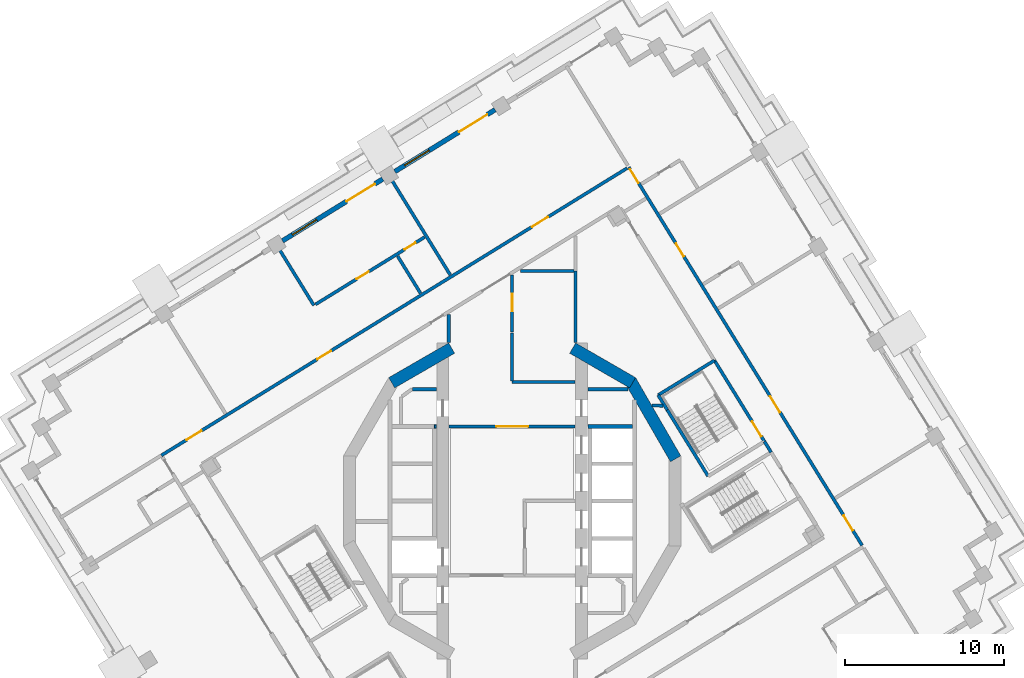
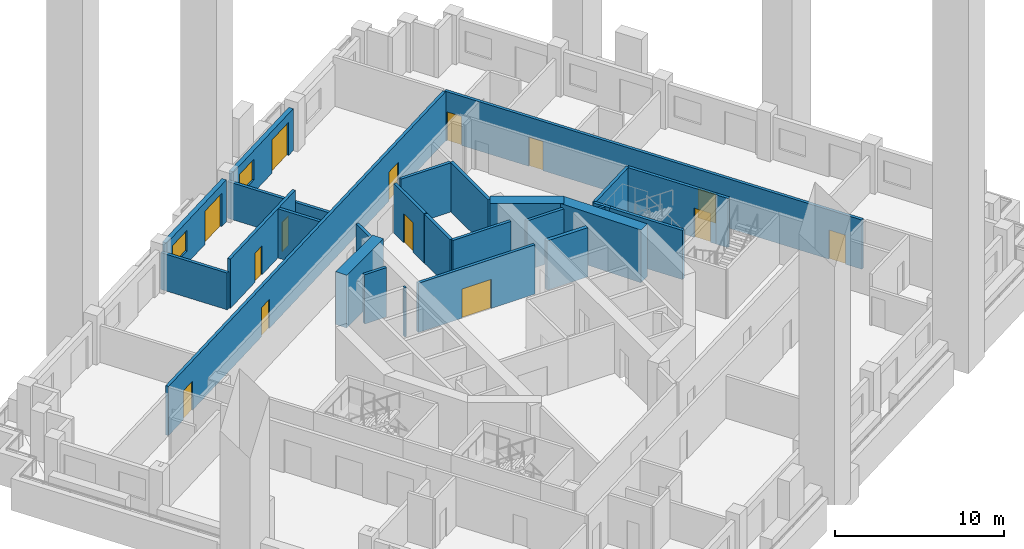
# One storey, part 7 of 19: 28 walls, 14 doors, 2 windows, 16 openings.
"""IFC4 building model written with IfcOpenShell, lengths in metres."""

from ifc_helpers import new_model, si_unit, direction, frame, frame_2d, origin, place, context, subcontext, project, spatial, rectangle, extrude, material, layer, layer_set, type_object, element, fill, save


model = new_model("IFC4")

# Units and contexts
model_context = context("Model", 3, precision=1e-05, world=origin(), true_north=direction((0.0, 1.0)))
body_context = subcontext(model_context, "Body", "Model", "MODEL_VIEW")
ifc_project = project(units=[si_unit("LENGTHUNIT", "METRE"), si_unit("AREAUNIT", "SQUARE_METRE"), si_unit("VOLUMEUNIT", "CUBIC_METRE"), si_unit("PLANEANGLEUNIT", "RADIAN"), si_unit("MASSUNIT", "GRAM", prefix="KILO")], contexts=[model_context])

# Site, building, storey
site_placement = place(None, origin())
site = spatial("IfcSite", under=ifc_project, at=site_placement, CompositionType="ELEMENT")
building_placement = place(site_placement, origin())
building = spatial("IfcBuilding", under=site, at=building_placement, Name="Cantera Rosa Tower", CompositionType="ELEMENT")
storey_placement = place(building_placement, frame((0.0, 0.0, 147.60009765625)))
storey = spatial("IfcBuildingStorey", under=building, at=storey_placement, Name="L31", CompositionType="ELEMENT", Elevation=147.60009765625)

# Wall
ifc_material_1 = material(Name="Gypsum board partition")
ifc_layer_1 = layer(ifc_material_1, 0.199951171875)
ifc_layer_set_1 = layer_set([ifc_layer_1], Name="CORRIDOR WALL 200 H3550")
wall_type_1 = type_object("IfcWallType", Name="CORRIDOR WALL 200 H3550", PredefinedType="PARTITIONING", material=ifc_layer_set_1)
wall_1_placement = place(storey_placement, frame((-4.0, 11.765625, 0.0), z_axis=(0.0, 0.0, 1.0), x_axis=(0.0, -1.0, 0.0)))
element("IfcWall", 1, at=wall_1_placement, inside=storey, type_object=wall_type_1, Name="CORRIDOR WALL L31-050", PredefinedType="PARTITIONING", context=body_context, shape_type="SweptSolid", body=[
    extrude(rectangle(XDim=1.771484375, YDim=0.199951171875, at=frame_2d((0.8857421875, 0.0))), origin(), (0.0, 0.0, 1.0), 3.5498046875),
])

# Wall, opening, door
wall_2_placement = place(storey_placement, frame((-3.969970703125, 4.699951171875, 0.0), z_axis=(0.0, 0.0, 1.0), x_axis=(1.0, 0.0, 0.0)))
wall_2 = element("IfcWall", 2, at=wall_2_placement, inside=storey, type_object=wall_type_1, Name="CORRIDOR WALL L31-051", PredefinedType="PARTITIONING", context=body_context, shape_type="SweptSolid", body=[
    extrude(rectangle(XDim=7.93994140625, YDim=0.199951171875, at=frame_2d((3.969970703125, 0.0))), origin(), (0.0, 0.0, 1.0), 3.5498046875),
])
opening_1_placement = place(wall_2_placement, frame((2.969970703125, 0.0, 0.0)))
opening_1 = element("IfcOpeningElement", 3, at=opening_1_placement, cuts=wall_2, Name="Opening L31-010", PredefinedType="OPENING", context=body_context, shape_type="SweptSolid", body=[
    extrude(rectangle(XDim=2.0, YDim=2.10009765625, at=frame_2d((1.0, 1.050048828125))), frame((0.0, 0.10986328125, 0.0), z_axis=(0.0, -1.0, 0.0), x_axis=(1.0, 0.0, 0.0)), (0.0, 0.0, 1.0), 0.219970703125),
])
ifc_material_2 = material(Name="Steel S355J2 (EN 10025-2)", Category="steel")
door_type_1 = type_object("IfcDoorType", Name="LOBBY SCREEN DOOR 2000x2100", OperationType="NOTDEFINED", PredefinedType="DOOR", material=ifc_material_2)
door_1_placement = place(opening_1_placement, origin())
door_1 = element("IfcDoor", 4, at=door_1_placement, inside=storey, type_object=door_type_1, Name="DOOR L31-010", OperationType="NOTDEFINED", OverallHeight=2.10009765625, OverallWidth=2.0, PredefinedType="DOOR", context=body_context, shape_type="SweptSolid", body=[
    extrude(rectangle(XDim=2.0, YDim=2.10009765625, at=frame_2d((1.0, 1.050048828125))), frame((0.0, 0.02490234375, 0.0), z_axis=(0.0, -1.0, 0.0), x_axis=(1.0, 0.0, 0.0)), (0.0, 0.0, 1.0), 0.050048828125),
])
fill(opening_1, door_1)

# Walls
wall_3_placement = place(storey_placement, frame((0.0, 7.5, 0.0), z_axis=(0.0, 0.0, 1.0), x_axis=(1.0, 0.0, 0.0)))
element("IfcWall", 5, at=wall_3_placement, inside=storey, type_object=wall_type_1, Name="CORRIDOR WALL L31-057", PredefinedType="PARTITIONING", context=body_context, shape_type="SweptSolid", body=[
    extrude(rectangle(XDim=3.969970703125, YDim=0.199951171875, at=frame_2d((1.98486328125, 0.0))), origin(), (0.0, 0.0, 1.0), 3.5498046875),
])
wall_4_placement = place(storey_placement, frame((0.0, 10.59521484375, 0.0), z_axis=(0.0, 0.0, 1.0), x_axis=(0.0, -1.0, 0.0)))
element("IfcWall", 6, at=wall_4_placement, inside=storey, type_object=wall_type_1, Name="CORRIDOR WALL L31-058", PredefinedType="PARTITIONING", context=body_context, shape_type="SweptSolid", body=[
    extrude(rectangle(XDim=3.01513671875, YDim=0.199951171875, at=frame_2d((1.507568359375, 0.0))), origin(), (0.0, 0.0, 1.0), 3.5498046875),
])

# Wall, opening, door
wall_5_placement = place(storey_placement, frame((0.0, 14.23291015625, 0.0), z_axis=(0.0, 0.0, 1.0), x_axis=(0.0, -1.0, 0.0)))
wall_5 = element("IfcWall", 7, at=wall_5_placement, inside=storey, type_object=wall_type_1, Name="CORRIDOR WALL L31-059", PredefinedType="PARTITIONING", context=body_context, shape_type="SweptSolid", body=[
    extrude(rectangle(XDim=3.57763671875, YDim=0.199951171875, at=frame_2d((1.788818359375, 0.0))), origin(), (0.0, 0.0, 1.0), 3.5498046875),
])
opening_2_placement = place(wall_5_placement, frame((1.15869140625, 0.0, 0.0)))
opening_2 = element("IfcOpeningElement", 8, at=opening_2_placement, cuts=wall_5, Name="Opening L31-014", PredefinedType="OPENING", context=body_context, shape_type="SweptSolid", body=[
    extrude(rectangle(XDim=1.10009765625, YDim=2.10009765625, at=frame_2d((0.550048828125, 1.050048828125))), frame((0.0, 0.10986328125, 0.0), z_axis=(0.0, -1.0, 0.0), x_axis=(1.0, 0.0, 0.0)), (0.0, 0.0, 1.0), 0.219970703125),
])
ifc_material_3 = material(Name="Timber door leaf", Category="wood")
door_type_2 = type_object("IfcDoorType", Name="ROOM DOOR 1100x2100", OperationType="NOTDEFINED", PredefinedType="DOOR", material=ifc_material_3)
door_2_placement = place(opening_2_placement, origin())
door_2 = element("IfcDoor", 9, at=door_2_placement, inside=storey, type_object=door_type_2, Name="DOOR L31-014", OperationType="NOTDEFINED", OverallHeight=2.10009765625, OverallWidth=1.10009765625, PredefinedType="DOOR", context=body_context, shape_type="SweptSolid", body=[
    extrude(rectangle(XDim=1.10009765625, YDim=2.10009765625, at=frame_2d((0.550048828125, 1.050048828125))), frame((0.0, 0.02490234375, 0.0), z_axis=(0.0, -1.0, 0.0), x_axis=(1.0, 0.0, 0.0)), (0.0, 0.0, 1.0), 0.050048828125),
])
fill(opening_2, door_2)

# Wall
wall_6_placement = place(storey_placement, frame((3.89990234375, 14.5, 0.0), z_axis=(0.0, 0.0, 1.0), x_axis=(-1.0, 0.0, 0.0)))
element("IfcWall", 10, at=wall_6_placement, inside=storey, type_object=wall_type_1, Name="CORRIDOR WALL L31-068", PredefinedType="PARTITIONING", context=body_context, shape_type="SweptSolid", body=[
    extrude(rectangle(XDim=3.38623046875, YDim=0.199951171875, at=frame_2d((1.693115234375, 0.0))), origin(), (0.0, 0.0, 1.0), 3.5498046875),
])

# Wall, openings, doors
wall_7_placement = place(storey_placement, frame((7.246337890625, 20.977294921875, 0.0), z_axis=(0.0, 0.0, 1.0), x_axis=(-0.851117666999, -0.524974967901, 0.0)))
wall_7 = element("IfcWall", 11, at=wall_7_placement, inside=storey, type_object=wall_type_1, Name="CORRIDOR WALL L31-082", PredefinedType="PARTITIONING", context=body_context, shape_type="SweptSolid", body=[
    extrude(rectangle(XDim=34.47998046875, YDim=0.199951171875, at=frame_2d((17.239990234375, 0.0))), origin(), (0.0, 0.0, 1.0), 3.5498046875),
])
opening_3_placement = place(wall_7_placement, frame((5.85009765625, 0.0, 0.0)))
opening_3 = element("IfcOpeningElement", 12, at=opening_3_placement, cuts=wall_7, Name="Opening L31-025", PredefinedType="OPENING", context=body_context, shape_type="SweptSolid", body=[
    extrude(rectangle(XDim=1.199951171875, YDim=2.10009765625, at=frame_2d((0.60009765625, 1.050048828125))), frame((0.0, 0.10986328125, 0.0), z_axis=(0.0, -1.0, 0.0), x_axis=(1.0, 0.0, 0.0)), (0.0, 0.0, 1.0), 0.219970703125),
])
opening_4_placement = place(wall_7_placement, frame((21.93994140625, 0.0, 0.0)))
opening_4 = element("IfcOpeningElement", 13, at=opening_4_placement, cuts=wall_7, Name="Opening L31-026", PredefinedType="OPENING", context=body_context, shape_type="SweptSolid", body=[
    extrude(rectangle(XDim=1.0, YDim=2.10009765625, at=frame_2d((0.5, 1.050048828125))), frame((0.0, 0.10986328125, 0.0), z_axis=(0.0, -1.0, 0.0), x_axis=(1.0, 0.0, 0.0)), (0.0, 0.0, 1.0), 0.219970703125),
])
opening_5_placement = place(wall_7_placement, frame((31.52001953125, 0.0, 0.0)))
opening_5 = element("IfcOpeningElement", 14, at=opening_5_placement, cuts=wall_7, Name="Opening L31-029", PredefinedType="OPENING", context=body_context, shape_type="SweptSolid", body=[
    extrude(rectangle(XDim=1.10009765625, YDim=2.10009765625, at=frame_2d((0.550048828125, 1.050048828125))), frame((0.0, 0.10986328125, 0.0), z_axis=(0.0, -1.0, 0.0), x_axis=(1.0, 0.0, 0.0)), (0.0, 0.0, 1.0), 0.219970703125),
])
ifc_material_4 = material(Name="Timber door leaf", Category="wood")
door_type_3 = type_object("IfcDoorType", Name="ENTRANCE DOOR 1000x2100", OperationType="NOTDEFINED", PredefinedType="DOOR", material=ifc_material_4)
door_3_placement = place(opening_4_placement, origin())
door_3 = element("IfcDoor", 15, at=door_3_placement, inside=storey, type_object=door_type_3, Name="DOOR L31-026", OperationType="NOTDEFINED", OverallHeight=2.10009765625, OverallWidth=1.0, PredefinedType="DOOR", context=body_context, shape_type="SweptSolid", body=[
    extrude(rectangle(XDim=1.0, YDim=2.10009765625, at=frame_2d((0.5, 1.050048828125))), frame((0.0, 0.02490234375, 0.0), z_axis=(0.0, -1.0, 0.0), x_axis=(1.0, 0.0, 0.0)), (0.0, 0.0, 1.0), 0.050048828125),
])
fill(opening_4, door_3)
door_4_placement = place(opening_5_placement, origin())
door_4 = element("IfcDoor", 16, at=door_4_placement, inside=storey, type_object=door_type_2, Name="DOOR L31-029", OperationType="NOTDEFINED", OverallHeight=2.10009765625, OverallWidth=1.10009765625, PredefinedType="DOOR", context=body_context, shape_type="SweptSolid", body=[
    extrude(rectangle(XDim=1.10009765625, YDim=2.10009765625, at=frame_2d((0.550048828125, 1.050048828125))), frame((0.0, 0.02490234375, 0.0), z_axis=(0.0, -1.0, 0.0), x_axis=(1.0, 0.0, 0.0)), (0.0, 0.0, 1.0), 0.050048828125),
])
fill(opening_5, door_4)
ifc_material_5 = material(Name="Timber door leaf", Category="wood")
door_type_4 = type_object("IfcDoorType", Name="ROOM DOOR 1200x2100", OperationType="NOTDEFINED", PredefinedType="DOOR", material=ifc_material_5)
door_5_placement = place(opening_3_placement, origin())
door_5 = element("IfcDoor", 17, at=door_5_placement, inside=storey, type_object=door_type_4, Name="DOOR L31-025", OperationType="NOTDEFINED", OverallHeight=2.10009765625, OverallWidth=1.199951171875, PredefinedType="DOOR", context=body_context, shape_type="SweptSolid", body=[
    extrude(rectangle(XDim=1.199951171875, YDim=2.10009765625, at=frame_2d((0.60009765625, 1.050048828125))), frame((0.0, 0.02490234375, 0.0), z_axis=(0.0, -1.0, 0.0), x_axis=(1.0, 0.0, 0.0)), (0.0, 0.0, 1.0), 0.050048828125),
])
fill(opening_3, door_5)

# Wall
wall_8_placement = place(storey_placement, frame((16.31591796875, 3.072998046875, 0.0), z_axis=(0.0, 0.0, 1.0), x_axis=(-0.524947597637, 0.85113454855, 0.0)))
element("IfcWall", 18, at=wall_8_placement, inside=storey, type_object=wall_type_1, Name="CORRIDOR WALL L31-104", PredefinedType="PARTITIONING", context=body_context, shape_type="SweptSolid", body=[
    extrude(rectangle(XDim=0.80078125, YDim=0.199951171875, at=frame_2d((0.400390625, 0.0))), origin(), (0.0, 0.0, 1.0), 3.5498046875),
])

# Wall, openings, doors
wall_9_placement = place(storey_placement, frame((22.047607421875, -2.791015625, 0.0), z_axis=(0.0, 0.0, 1.0), x_axis=(-0.524972822833, 0.851118990087, 0.0)))
wall_9 = element("IfcWall", 19, at=wall_9_placement, inside=storey, type_object=wall_type_1, Name="CORRIDOR WALL L31-114", PredefinedType="PARTITIONING", context=body_context, shape_type="SweptSolid", body=[
    extrude(rectangle(XDim=28.0, YDim=0.199951171875, at=frame_2d((14.0, 0.0))), origin(), (0.0, 0.0, 1.0), 3.5498046875),
])
opening_6_placement = place(wall_9_placement, frame((9.840087890625, 0.0, 0.0)))
opening_6 = element("IfcOpeningElement", 20, at=opening_6_placement, cuts=wall_9, Name="Opening L31-019", PredefinedType="OPENING", context=body_context, shape_type="SweptSolid", body=[
    extrude(rectangle(XDim=1.199951171875, YDim=2.10009765625, at=frame_2d((0.60009765625, 1.050048828125))), frame((0.0, 0.10986328125, 0.0), z_axis=(0.0, -1.0, 0.0), x_axis=(1.0, 0.0, 0.0)), (0.0, 0.0, 1.0), 0.219970703125),
])
opening_7_placement = place(wall_9_placement, frame((21.39501953125, 0.0, 0.0)))
opening_7 = element("IfcOpeningElement", 21, at=opening_7_placement, cuts=wall_9, Name="Opening L31-020", PredefinedType="OPENING", context=body_context, shape_type="SweptSolid", body=[
    extrude(rectangle(XDim=0.949951171875, YDim=2.10009765625, at=frame_2d((0.47509765625, 1.050048828125))), frame((0.0, 0.10986328125, 0.0), z_axis=(0.0, -1.0, 0.0), x_axis=(1.0, 0.0, 0.0)), (0.0, 0.0, 1.0), 0.219970703125),
])
opening_8_placement = place(wall_9_placement, frame((1.110107421875, 0.0, 0.0)))
opening_8 = element("IfcOpeningElement", 22, at=opening_8_placement, cuts=wall_9, Name="Opening L31-022", PredefinedType="OPENING", context=body_context, shape_type="SweptSolid", body=[
    extrude(rectangle(XDim=1.10009765625, YDim=2.10009765625, at=frame_2d((0.550048828125, 1.050048828125))), frame((0.0, 0.10986328125, 0.0), z_axis=(0.0, -1.0, 0.0), x_axis=(1.0, 0.0, 0.0)), (0.0, 0.0, 1.0), 0.219970703125),
])
opening_9_placement = place(wall_9_placement, frame((26.840087890625, 0.0, 0.0)))
opening_9 = element("IfcOpeningElement", 23, at=opening_9_placement, cuts=wall_9, Name="Opening L31-023", PredefinedType="OPENING", context=body_context, shape_type="SweptSolid", body=[
    extrude(rectangle(XDim=1.0, YDim=2.10009765625, at=frame_2d((0.5, 1.050048828125))), frame((0.0, 0.10986328125, 0.0), z_axis=(0.0, -1.0, 0.0), x_axis=(1.0, 0.0, 0.0)), (0.0, 0.0, 1.0), 0.219970703125),
])
door_6_placement = place(opening_9_placement, origin())
door_6 = element("IfcDoor", 24, at=door_6_placement, inside=storey, type_object=door_type_3, Name="DOOR L31-023", OperationType="NOTDEFINED", OverallHeight=2.10009765625, OverallWidth=1.0, PredefinedType="DOOR", context=body_context, shape_type="SweptSolid", body=[
    extrude(rectangle(XDim=1.0, YDim=2.10009765625, at=frame_2d((0.5, 1.050048828125))), frame((0.0, 0.02490234375, 0.0), z_axis=(0.0, -1.0, 0.0), x_axis=(1.0, 0.0, 0.0)), (0.0, 0.0, 1.0), 0.050048828125),
])
fill(opening_9, door_6)
door_7_placement = place(opening_8_placement, origin())
door_7 = element("IfcDoor", 25, at=door_7_placement, inside=storey, type_object=door_type_2, Name="DOOR L31-022", OperationType="NOTDEFINED", OverallHeight=2.10009765625, OverallWidth=1.10009765625, PredefinedType="DOOR", context=body_context, shape_type="SweptSolid", body=[
    extrude(rectangle(XDim=1.10009765625, YDim=2.10009765625, at=frame_2d((0.550048828125, 1.050048828125))), frame((0.0, 0.02490234375, 0.0), z_axis=(0.0, -1.0, 0.0), x_axis=(1.0, 0.0, 0.0)), (0.0, 0.0, 1.0), 0.050048828125),
])
fill(opening_8, door_7)
door_8_placement = place(opening_6_placement, origin())
door_8 = element("IfcDoor", 26, at=door_8_placement, inside=storey, type_object=door_type_4, Name="DOOR L31-019", OperationType="NOTDEFINED", OverallHeight=2.10009765625, OverallWidth=1.199951171875, PredefinedType="DOOR", context=body_context, shape_type="SweptSolid", body=[
    extrude(rectangle(XDim=1.199951171875, YDim=2.10009765625, at=frame_2d((0.60009765625, 1.050048828125))), frame((0.0, 0.02490234375, 0.0), z_axis=(0.0, -1.0, 0.0), x_axis=(1.0, 0.0, 0.0)), (0.0, 0.0, 1.0), 0.050048828125),
])
fill(opening_6, door_8)
ifc_material_6 = material(Name="Timber door leaf", Category="wood")
door_type_5 = type_object("IfcDoorType", Name="ROOM DOOR 950x2100", OperationType="NOTDEFINED", PredefinedType="DOOR", material=ifc_material_6)
door_9_placement = place(opening_7_placement, origin())
door_9 = element("IfcDoor", 27, at=door_9_placement, inside=storey, type_object=door_type_5, Name="DOOR L31-020", OperationType="NOTDEFINED", OverallHeight=2.10009765625, OverallWidth=0.949951171875, PredefinedType="DOOR", context=body_context, shape_type="SweptSolid", body=[
    extrude(rectangle(XDim=0.949951171875, YDim=2.10009765625, at=frame_2d((0.47509765625, 1.050048828125))), frame((0.0, 0.02490234375, 0.0), z_axis=(0.0, -1.0, 0.0), x_axis=(1.0, 0.0, 0.0)), (0.0, 0.0, 1.0), 0.050048828125),
])
fill(opening_7, door_9)

# Wall, openings, window, door
ifc_material_7 = material(Name="Hollow clay masonry with cantera stone cladding", Category="masonry")
ifc_layer_2 = layer(ifc_material_7, 0.300048828125)
ifc_layer_set_2 = layer_set([ifc_layer_2], Name="EW-LOGGIA 300 H3020")
wall_type_2 = type_object("IfcWallType", Name="EW-LOGGIA 300 H3020", PredefinedType="SOLIDWALL", material=ifc_layer_set_2)
wall_10_placement = place(storey_placement, frame((-1.07421875, 24.656982421875, 0.0), z_axis=(0.0, 0.0, 1.0), x_axis=(-0.85112578684, -0.524961803349, 0.0)))
wall_10 = element("IfcWall", 28, at=wall_10_placement, inside=storey, type_object=wall_type_2, Name="EN-L31-W09", PredefinedType="SOLIDWALL", context=body_context, shape_type="SweptSolid", body=[
    extrude(rectangle(XDim=7.420166015625, YDim=0.300048828125, at=frame_2d((3.7099609375, 0.0))), origin(), (0.0, 0.0, 1.0), 3.02001953125),
])
opening_10_placement = place(wall_10_placement, frame((0.580078125, 0.0, 0.0)))
opening_10 = element("IfcOpeningElement", 29, at=opening_10_placement, cuts=wall_10, Name="Opening L31-TD13", PredefinedType="OPENING", context=body_context, shape_type="SweptSolid", body=[
    extrude(rectangle(XDim=2.10009765625, YDim=2.39990234375, at=frame_2d((1.050048828125, 1.199951171875))), frame((0.0, 0.159912109375, 0.0), z_axis=(0.0, -1.0, 0.0), x_axis=(1.0, 0.0, 0.0)), (0.0, 0.0, 1.0), 0.320068359375),
])
opening_11_placement = place(wall_10_placement, frame((4.889892578125, 0.0, 0.89990234375)))
opening_11 = element("IfcOpeningElement", 30, at=opening_11_placement, cuts=wall_10, Name="Opening L31-W14", PredefinedType="OPENING", context=body_context, shape_type="SweptSolid", body=[
    extrude(rectangle(XDim=1.800048828125, YDim=1.5, at=frame_2d((0.89990234375, 0.75))), frame((0.0, 0.159912109375, 0.0), z_axis=(0.0, -1.0, 0.0), x_axis=(1.0, 0.0, 0.0)), (0.0, 0.0, 1.0), 0.320068359375),
])
ifc_material_8 = material(Name="Aluminium frame with clear glass", Category="aluminium")
window_type = type_object("IfcWindowType", Name="Hotel room window 1800x1500", PartitioningType="DOUBLE_PANEL_VERTICAL", PredefinedType="WINDOW", material=ifc_material_8)
window_1_placement = place(opening_11_placement, origin())
window_1 = element("IfcWindow", 31, at=window_1_placement, inside=storey, type_object=window_type, Name="WINDOW L31-W14", OverallHeight=1.5, OverallWidth=1.800048828125, PartitioningType="SINGLE_PANEL", PredefinedType="WINDOW", context=body_context, shape_type="SweptSolid", body=[
    extrude(rectangle(XDim=1.800048828125, YDim=1.5, at=frame_2d((0.89990234375, 0.75))), frame((0.0, 0.030029296875, 0.0), z_axis=(0.0, -1.0, 0.0), x_axis=(1.0, 0.0, 0.0)), (0.0, 0.0, 1.0), 0.06005859375),
])
fill(opening_11, window_1)
ifc_material_9 = material(Name="Aluminium frame with clear glass", Category="aluminium")
door_type_6 = type_object("IfcDoorType", Name="TD-H 2100x2400", OperationType="NOTDEFINED", PredefinedType="DOOR", material=ifc_material_9)
door_10_placement = place(opening_10_placement, origin())
door_10 = element("IfcDoor", 32, at=door_10_placement, inside=storey, type_object=door_type_6, Name="LOGGIA DOOR L31-TD13", OperationType="SLIDING_TO_LEFT", OverallHeight=2.39990234375, OverallWidth=2.10009765625, PredefinedType="DOOR", context=body_context, shape_type="SweptSolid", body=[
    extrude(rectangle(XDim=2.10009765625, YDim=2.39990234375, at=frame_2d((1.050048828125, 1.199951171875))), frame((0.0, 0.02490234375, 0.0), z_axis=(0.0, -1.0, 0.0), x_axis=(1.0, 0.0, 0.0)), (0.0, 0.0, 1.0), 0.050048828125),
])
fill(opening_10, door_10)

wall_11_placement = place(storey_placement, frame((-8.155517578125, 20.289306640625, 0.0), z_axis=(0.0, 0.0, 1.0), x_axis=(-0.851111085575, -0.524985637909, 0.0)))
wall_11 = element("IfcWall", 33, at=wall_11_placement, inside=storey, type_object=wall_type_2, Name="EN-L31-W10", PredefinedType="SOLIDWALL", context=body_context, shape_type="SweptSolid", body=[
    extrude(rectangle(XDim=7.420166015625, YDim=0.300048828125, at=frame_2d((3.7099609375, 0.0))), origin(), (0.0, 0.0, 1.0), 3.02001953125),
])
opening_12_placement = place(wall_11_placement, frame((0.580078125, 0.0, 0.0)))
opening_12 = element("IfcOpeningElement", 34, at=opening_12_placement, cuts=wall_11, Name="Opening L31-TD15", PredefinedType="OPENING", context=body_context, shape_type="SweptSolid", body=[
    extrude(rectangle(XDim=2.10009765625, YDim=2.39990234375, at=frame_2d((1.050048828125, 1.199951171875))), frame((0.0, 0.159912109375, 0.0), z_axis=(0.0, -1.0, 0.0), x_axis=(1.0, 0.0, 0.0)), (0.0, 0.0, 1.0), 0.320068359375),
])
opening_13_placement = place(wall_11_placement, frame((4.889892578125, 0.0, 0.89990234375)))
opening_13 = element("IfcOpeningElement", 35, at=opening_13_placement, cuts=wall_11, Name="Opening L31-W16", PredefinedType="OPENING", context=body_context, shape_type="SweptSolid", body=[
    extrude(rectangle(XDim=1.800048828125, YDim=1.5, at=frame_2d((0.89990234375, 0.75))), frame((0.0, 0.159912109375, 0.0), z_axis=(0.0, -1.0, 0.0), x_axis=(1.0, 0.0, 0.0)), (0.0, 0.0, 1.0), 0.320068359375),
])
window_2_placement = place(opening_13_placement, origin())
window_2 = element("IfcWindow", 36, at=window_2_placement, inside=storey, type_object=window_type, Name="WINDOW L31-W16", OverallHeight=1.5, OverallWidth=1.800048828125, PartitioningType="SINGLE_PANEL", PredefinedType="WINDOW", context=body_context, shape_type="SweptSolid", body=[
    extrude(rectangle(XDim=1.800048828125, YDim=1.5, at=frame_2d((0.89990234375, 0.75))), frame((0.0, 0.030029296875, 0.0), z_axis=(0.0, -1.0, 0.0), x_axis=(1.0, 0.0, 0.0)), (0.0, 0.0, 1.0), 0.06005859375),
])
fill(opening_13, window_2)
door_11_placement = place(opening_12_placement, origin())
door_11 = element("IfcDoor", 37, at=door_11_placement, inside=storey, type_object=door_type_6, Name="LOGGIA DOOR L31-TD15", OperationType="SLIDING_TO_LEFT", OverallHeight=2.39990234375, OverallWidth=2.10009765625, PredefinedType="DOOR", context=body_context, shape_type="SweptSolid", body=[
    extrude(rectangle(XDim=2.10009765625, YDim=2.39990234375, at=frame_2d((1.050048828125, 1.199951171875))), frame((0.0, 0.02490234375, 0.0), z_axis=(0.0, -1.0, 0.0), x_axis=(1.0, 0.0, 0.0)), (0.0, 0.0, 1.0), 0.050048828125),
])
fill(opening_12, door_11)

# Walls
ifc_material_10 = material(Name="Gypsum board partition")
ifc_layer_3 = layer(ifc_material_10, 0.199951171875)
ifc_layer_set_3 = layer_set([ifc_layer_3], Name="PARTITION 200 H2650")
wall_type_3 = type_object("IfcWallType", Name="PARTITION 200 H2650", PredefinedType="PARTITIONING", material=ifc_layer_set_3)
wall_12_placement = place(storey_placement, frame((-12.491455078125, 12.32763671875, 0.0), z_axis=(0.0, 0.0, 1.0), x_axis=(-0.524986965499, 0.851110266685, 0.0)))
element("IfcWall", 38, at=wall_12_placement, inside=storey, type_object=wall_type_3, Name="PARTITION L31-018", PredefinedType="PARTITIONING", context=body_context, shape_type="SweptSolid", body=[
    extrude(rectangle(XDim=4.469970703125, YDim=0.199951171875, at=frame_2d((2.23486328125, 0.0))), origin(), (0.0, 0.0, 1.0), 2.64990234375),
])
ifc_material_11 = material(Name="Gypsum board partition")
ifc_layer_4 = layer(ifc_material_11, 0.199951171875)
ifc_layer_set_4 = layer_set([ifc_layer_4], Name="PARTITION 200 H3550")
wall_type_4 = type_object("IfcWallType", Name="PARTITION 200 H3550", PredefinedType="PARTITIONING", material=ifc_layer_set_4)
wall_13_placement = place(storey_placement, frame((-6.273681640625, 7.050048828125, 0.0), z_axis=(0.0, 0.0, 1.0), x_axis=(1.0, 0.0, 0.0)))
element("IfcWall", 39, at=wall_13_placement, inside=storey, type_object=wall_type_4, Name="PARTITION L31-040", PredefinedType="PARTITIONING", context=body_context, shape_type="SweptSolid", body=[
    extrude(rectangle(XDim=1.49365234375, YDim=0.199951171875, at=frame_2d((0.746826171875, 0.0))), origin(), (0.0, 0.0, 1.0), 3.5498046875),
])
wall_14_placement = place(storey_placement, frame((-5.770751953125, 13.08935546875, 0.0), z_axis=(0.0, 0.0, 1.0), x_axis=(-0.524980555024, 0.851114220799, 0.0)))
element("IfcWall", 40, at=wall_14_placement, inside=storey, type_object=wall_type_4, Name="PARTITION L31-042", PredefinedType="PARTITIONING", context=body_context, shape_type="SweptSolid", body=[
    extrude(rectangle(XDim=2.760009765625, YDim=0.199951171875, at=frame_2d((1.3798828125, 0.0))), origin(), (0.0, 0.0, 1.0), 3.5498046875),
])

# Wall, openings, doors
wall_15_placement = place(storey_placement, frame((-5.51220703125, 16.63232421875, 0.0), z_axis=(0.0, 0.0, 1.0), x_axis=(-0.851128794502, -0.524956926965, 0.0)))
wall_15 = element("IfcWall", 41, at=wall_15_placement, inside=storey, type_object=wall_type_4, Name="PARTITION L31-043", PredefinedType="PARTITIONING", context=body_context, shape_type="SweptSolid", body=[
    extrude(rectangle(XDim=8.080078125, YDim=0.199951171875, at=frame_2d((4.0400390625, 0.0))), origin(), (0.0, 0.0, 1.0), 3.5498046875),
])
opening_14_placement = place(wall_15_placement, frame((4.139892578125, 0.0, 0.0)))
opening_14 = element("IfcOpeningElement", 42, at=opening_14_placement, cuts=wall_15, Name="Opening L31-027", PredefinedType="OPENING", context=body_context, shape_type="SweptSolid", body=[
    extrude(rectangle(XDim=0.89990234375, YDim=2.10009765625, at=frame_2d((0.449951171875, 1.050048828125))), frame((0.0, 0.10986328125, 0.0), z_axis=(0.0, -1.0, 0.0), x_axis=(1.0, 0.0, 0.0)), (0.0, 0.0, 1.0), 0.219970703125),
])
opening_15_placement = place(wall_15_placement, frame((0.68994140625, 0.0, 0.0)))
opening_15 = element("IfcOpeningElement", 43, at=opening_15_placement, cuts=wall_15, Name="Opening L31-028", PredefinedType="OPENING", context=body_context, shape_type="SweptSolid", body=[
    extrude(rectangle(XDim=0.800048828125, YDim=2.10009765625, at=frame_2d((0.39990234375, 1.050048828125))), frame((0.0, 0.10986328125, 0.0), z_axis=(0.0, -1.0, 0.0), x_axis=(1.0, 0.0, 0.0)), (0.0, 0.0, 1.0), 0.219970703125),
])
ifc_material_12 = material(Name="Timber door leaf", Category="wood")
door_type_7 = type_object("IfcDoorType", Name="BATHROOM DOOR 800x2100", OperationType="NOTDEFINED", PredefinedType="DOOR", material=ifc_material_12)
door_12_placement = place(opening_15_placement, origin())
door_12 = element("IfcDoor", 44, at=door_12_placement, inside=storey, type_object=door_type_7, Name="DOOR L31-028", OperationType="NOTDEFINED", OverallHeight=2.10009765625, OverallWidth=0.800048828125, PredefinedType="DOOR", context=body_context, shape_type="SweptSolid", body=[
    extrude(rectangle(XDim=0.800048828125, YDim=2.10009765625, at=frame_2d((0.39990234375, 1.050048828125))), frame((0.0, 0.02490234375, 0.0), z_axis=(0.0, -1.0, 0.0), x_axis=(1.0, 0.0, 0.0)), (0.0, 0.0, 1.0), 0.050048828125),
])
fill(opening_15, door_12)
ifc_material_13 = material(Name="Timber door leaf", Category="wood")
door_type_8 = type_object("IfcDoorType", Name="ROOM DOOR 900x2100", OperationType="NOTDEFINED", PredefinedType="DOOR", material=ifc_material_13)
door_13_placement = place(opening_14_placement, origin())
door_13 = element("IfcDoor", 45, at=door_13_placement, inside=storey, type_object=door_type_8, Name="DOOR L31-027", OperationType="NOTDEFINED", OverallHeight=2.10009765625, OverallWidth=0.89990234375, PredefinedType="DOOR", context=body_context, shape_type="SweptSolid", body=[
    extrude(rectangle(XDim=0.89990234375, YDim=2.10009765625, at=frame_2d((0.449951171875, 1.050048828125))), frame((0.0, 0.02490234375, 0.0), z_axis=(0.0, -1.0, 0.0), x_axis=(1.0, 0.0, 0.0)), (0.0, 0.0, 1.0), 0.050048828125),
])
fill(opening_14, door_13)

# Walls
wall_16_placement = place(storey_placement, frame((-4.780029296875, 4.699951171875, 0.0), z_axis=(0.0, 0.0, 1.0), x_axis=(-1.0, 0.0, 0.0)))
element("IfcWall", 46, at=wall_16_placement, inside=storey, type_object=wall_type_4, Name="PARTITION L31-047", PredefinedType="PARTITIONING", context=body_context, shape_type="SweptSolid", body=[
    extrude(rectangle(XDim=0.119873046875, YDim=0.199951171875, at=frame_2d((0.06005859375, 0.0))), origin(), (0.0, 0.0, 1.0), 3.5498046875),
])
wall_17_placement = place(storey_placement, frame((4.0, 9.994140625, 0.0), z_axis=(0.0, 0.0, 1.0), x_axis=(0.0, 1.0, 0.0)))
element("IfcWall", 47, at=wall_17_placement, inside=storey, type_object=wall_type_4, Name="PARTITION L31-067", PredefinedType="PARTITIONING", context=body_context, shape_type="SweptSolid", body=[
    extrude(rectangle(XDim=4.505859375, YDim=0.199951171875, at=frame_2d((2.2529296875, 0.0))), origin(), (0.0, 0.0, 1.0), 3.5498046875),
])
wall_18_placement = place(storey_placement, frame((4.780029296875, 7.050048828125, 0.0), z_axis=(0.0, 0.0, 1.0), x_axis=(1.0, 0.0, 0.0)))
element("IfcWall", 48, at=wall_18_placement, inside=storey, type_object=wall_type_4, Name="PARTITION L31-073", PredefinedType="PARTITIONING", context=body_context, shape_type="SweptSolid", body=[
    extrude(rectangle(XDim=2.517822265625, YDim=0.199951171875, at=frame_2d((1.2587890625, 0.0))), origin(), (0.0, 0.0, 1.0), 3.5498046875),
])
wall_19_placement = place(storey_placement, frame((9.49658203125, 6.001708984375, 0.0), z_axis=(0.0, 0.0, 1.0), x_axis=(-0.999163532826, 0.04089296603, 0.0)))
element("IfcWall", 49, at=wall_19_placement, inside=storey, type_object=wall_type_4, Name="PARTITION L31-091", PredefinedType="PARTITIONING", context=body_context, shape_type="SweptSolid", body=[
    extrude(rectangle(XDim=0.674560546875, YDim=0.199951171875, at=frame_2d((0.33740234375, 0.0))), origin(), (0.0, 0.0, 1.0), 3.5498046875),
])
ifc_material_14 = material(Name="Gypsum board partition")
ifc_layer_5 = layer(ifc_material_14, 0.199951171875)
ifc_layer_set_5 = layer_set([ifc_layer_5], Name="PARTY WALL 200 H2650")
wall_type_5 = type_object("IfcWallType", Name="PARTY WALL 200 H2650", PredefinedType="PARTITIONING", material=ifc_layer_set_5)
wall_20_placement = place(storey_placement, frame((-3.898193359375, 14.244140625, 0.0), z_axis=(0.0, 0.0, 1.0), x_axis=(-0.524973728225, 0.851118431638, 0.0)))
element("IfcWall", 50, at=wall_20_placement, inside=storey, type_object=wall_type_5, Name="PARTY WALL L31-052", PredefinedType="PARTITIONING", context=body_context, shape_type="SweptSolid", body=[
    extrude(rectangle(XDim=7.35009765625, YDim=0.199951171875, at=frame_2d((3.675048828125, 0.0))), origin(), (0.0, 0.0, 1.0), 2.64990234375),
])
ifc_material_15 = material(Name="Concrete C60/75", Category="concrete")
ifc_layer_6 = layer(ifc_material_15, 0.75)
ifc_layer_set_6 = layer_set([ifc_layer_6], Name="RC CORE WALL 750 C60/75")
wall_type_6 = type_object("IfcWallType", Name="RC CORE WALL 750 C60/75", PredefinedType="SHEAR", material=ifc_layer_set_6)
for number, where, z_axis, x_axis, name in (
    (51, (-7.590576171875, 7.453369140625, 0.0), (0.0, 0.0, 1.0), (0.866013176292, 0.50002117804, 0.0), "CW-W5 L31"),
    (52, (3.8125, 9.634765625, 0.0), (0.0, 0.0, 1.0), (0.866013176292, -0.50002117804, 0.0), "CW-E1 L31"),
):
    element("IfcWall", number, at=place(storey_placement, frame(where, z_axis=z_axis, x_axis=x_axis)), inside=storey, type_object=wall_type_6, Name=name, PredefinedType="SHEAR", context=body_context, shape_type="SweptSolid", body=[
        extrude(rectangle(XDim=4.362548828125, YDim=0.75, at=frame_2d((2.18115234375, 0.0))), origin(), (0.0, 0.0, 1.0), 3.7998046875),
    ])
wall_21_placement = place(storey_placement, frame((7.453369140625, 7.590576171875, 0.0), z_axis=(0.0, 0.0, 1.0), x_axis=(0.500021842983, -0.866012792365, 0.0)))
element("IfcWall", 53, at=wall_21_placement, inside=storey, type_object=wall_type_6, Name="CW-E2 L31", PredefinedType="SHEAR", context=body_context, shape_type="SweptSolid", body=[
    extrude(rectangle(XDim=5.694091796875, YDim=0.75, at=frame_2d((2.84716796875, 0.0))), origin(), (0.0, 0.0, 1.0), 3.7998046875),
])
ifc_material_16 = material(Name="Masonry blockwork", Category="masonry")
ifc_layer_7 = layer(ifc_material_16, 0.25)
ifc_layer_set_7 = layer_set([ifc_layer_7], Name="SHAFT WALL 250 H3550")
wall_type_7 = type_object("IfcWallType", Name="SHAFT WALL 250 H3550", PredefinedType="SOLIDWALL", material=ifc_layer_set_7)
wall_22_placement = place(storey_placement, frame((4.780029296875, 4.699951171875, 0.0), z_axis=(0.0, 0.0, 1.0), x_axis=(1.0, 0.0, 0.0)))
element("IfcWall", 54, at=wall_22_placement, inside=storey, type_object=wall_type_7, Name="SHAFT WALL L31-072", PredefinedType="SOLIDWALL", context=body_context, shape_type="SweptSolid", body=[
    extrude(rectangle(XDim=2.794921875, YDim=0.25, at=frame_2d((1.3974609375, 0.0))), origin(), (0.0, 0.0, 1.0), 3.5498046875),
])
ifc_material_17 = material(Name="Concrete C50/60", Category="concrete")
ifc_layer_8 = layer(ifc_material_17, 0.199951171875)
ifc_layer_set_8 = layer_set([ifc_layer_8], Name="STAIR WALL 200 H3550")
wall_type_8 = type_object("IfcWallType", Name="STAIR WALL 200 H3550", PredefinedType="SOLIDWALL", material=ifc_layer_set_8)
wall_23_placement = place(storey_placement, frame((9.199462890625, 6.674072265625, 0.0), z_axis=(0.0, 0.0, 1.0), x_axis=(0.524902102766, -0.851162606387, 0.0)))
element("IfcWall", 55, at=wall_23_placement, inside=storey, type_object=wall_type_8, Name="STAIR WALL L31-089", PredefinedType="SOLIDWALL", context=body_context, shape_type="SweptSolid", body=[
    extrude(rectangle(XDim=1.10009765625, YDim=0.199951171875, at=frame_2d((0.550048828125, 0.0))), origin(), (0.0, 0.0, 1.0), 3.5498046875),
])
wall_24_placement = place(storey_placement, frame((12.74560546875, 8.861328125, 0.0), z_axis=(0.0, 0.0, 1.0), x_axis=(-0.851120688733, -0.524970068871, 0.0)))
element("IfcWall", 56, at=wall_24_placement, inside=storey, type_object=wall_type_8, Name="STAIR WALL L31-099", PredefinedType="SOLIDWALL", context=body_context, shape_type="SweptSolid", body=[
    extrude(rectangle(XDim=4.16650390625, YDim=0.199951171875, at=frame_2d((2.083251953125, 0.0))), origin(), (0.0, 0.0, 1.0), 3.5498046875),
])

# Wall, opening, door
wall_25_placement = place(storey_placement, frame((15.8955078125, 3.754638671875, 0.0), z_axis=(0.0, 0.0, 1.0), x_axis=(-0.524982543144, 0.851112994493, 0.0)))
wall_25 = element("IfcWall", 57, at=wall_25_placement, inside=storey, type_object=wall_type_8, Name="STAIR WALL L31-103", PredefinedType="SOLIDWALL", context=body_context, shape_type="SweptSolid", body=[
    extrude(rectangle(XDim=6.0, YDim=0.199951171875, at=frame_2d((3.0, 0.0))), origin(), (0.0, 0.0, 1.0), 3.5498046875),
])
opening_16_placement = place(wall_25_placement, frame((0.375, 0.0, 0.0)))
opening_16 = element("IfcOpeningElement", 58, at=opening_16_placement, cuts=wall_25, Name="Opening L31-001", PredefinedType="OPENING", context=body_context, shape_type="SweptSolid", body=[
    extrude(rectangle(XDim=1.10009765625, YDim=2.10009765625, at=frame_2d((0.550048828125, 1.050048828125))), frame((0.0, 0.10986328125, 0.0), z_axis=(0.0, -1.0, 0.0), x_axis=(1.0, 0.0, 0.0)), (0.0, 0.0, 1.0), 0.219970703125),
])
ifc_material_18 = material(Name="Steel S355J2 (EN 10025-2)", Category="steel")
door_type_9 = type_object("IfcDoorType", Name="STAIR DOOR 1100x2100", OperationType="NOTDEFINED", PredefinedType="DOOR", material=ifc_material_18)
door_14_placement = place(opening_16_placement, origin())
door_14 = element("IfcDoor", 59, at=door_14_placement, inside=storey, type_object=door_type_9, Name="DOOR L31-001", OperationType="NOTDEFINED", OverallHeight=2.10009765625, OverallWidth=1.10009765625, PredefinedType="DOOR", context=body_context, shape_type="SweptSolid", body=[
    extrude(rectangle(XDim=1.10009765625, YDim=2.10009765625, at=frame_2d((0.550048828125, 1.050048828125))), frame((0.0, 0.02490234375, 0.0), z_axis=(0.0, -1.0, 0.0), x_axis=(1.0, 0.0, 0.0)), (0.0, 0.0, 1.0), 0.050048828125),
])
fill(opening_16, door_14)

# Wall
wall_26_placement = place(storey_placement, frame((9.77685546875, 5.73779296875, 0.0), z_axis=(0.0, 0.0, 1.0), x_axis=(0.525000600504, -0.851101856108, 0.0)))
element("IfcWall", 60, at=wall_26_placement, inside=storey, type_object=wall_type_8, Name="STAIR WALL L31-089 J", PredefinedType="SOLIDWALL", context=body_context, shape_type="SweptSolid", body=[
    extrude(rectangle(XDim=4.89990234375, YDim=0.199951171875, at=frame_2d((2.449951171875, 0.0))), origin(), (0.0, 0.0, 1.0), 3.5498046875),
])

save(model, "model.ifc")
